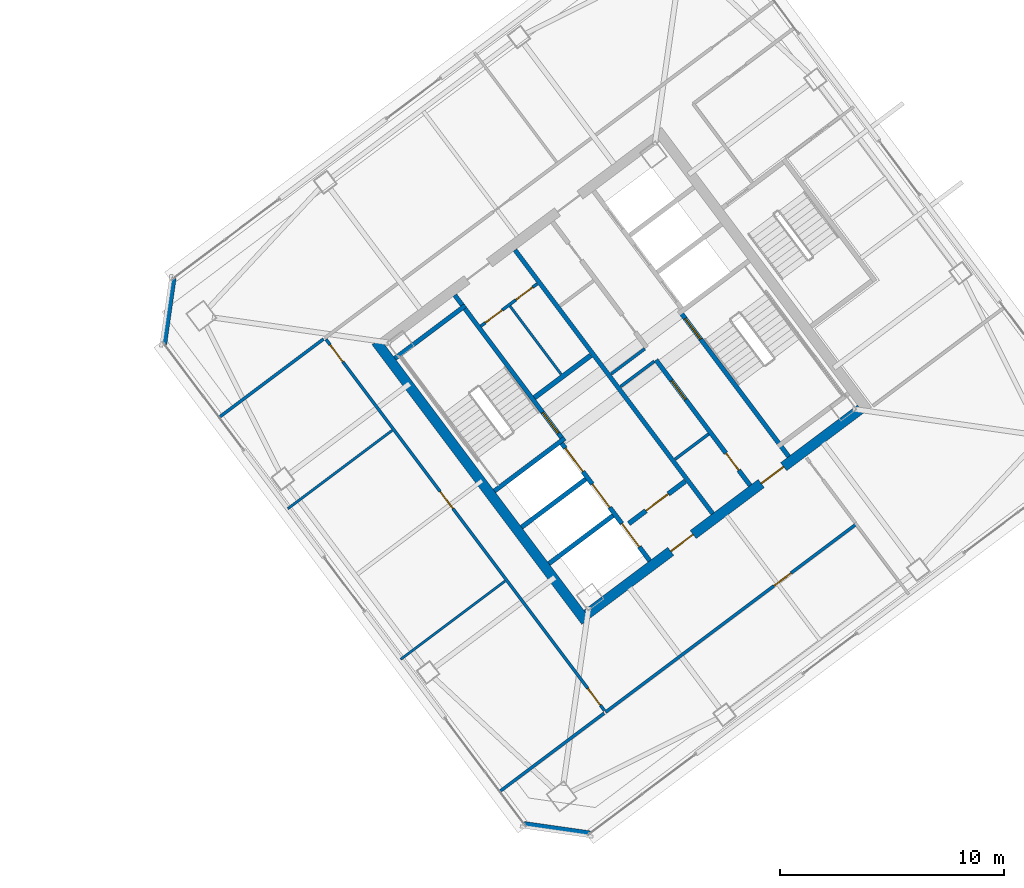
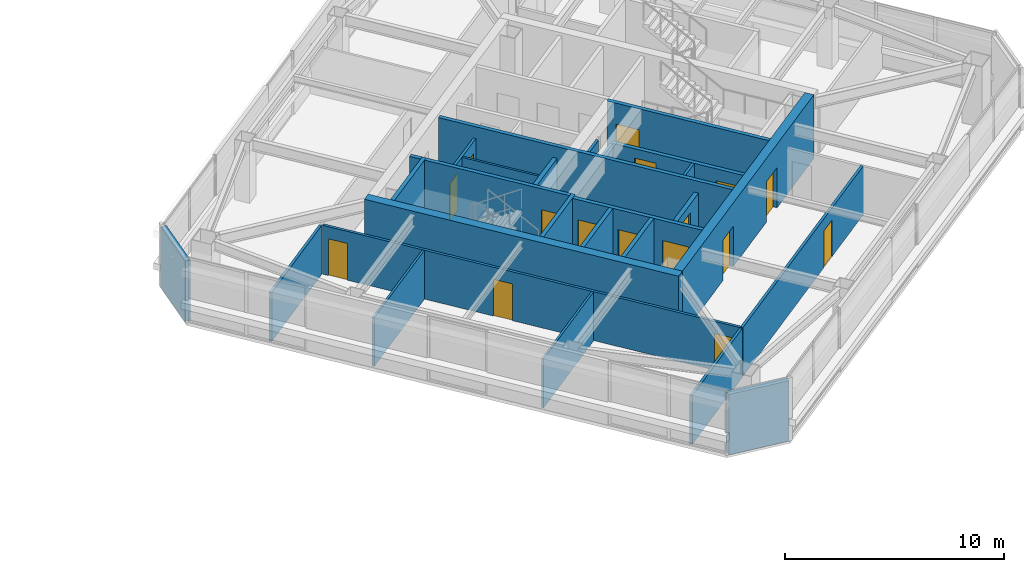
# One storey, part 36 of 44: 26 walls, 16 doors, 16 openings.
"""IFC4 building model written with IfcOpenShell, lengths in metres."""

from ifc_helpers import new_model, si_unit, direction, frame, frame_2d, origin, place, context, subcontext, project, spatial, rectangle, extrude, material, layer, layer_set, type_object, element, fill, save


model = new_model("IFC4")

# Units and contexts
model_context = context("Model", 3, precision=1e-05, world=origin(), true_north=direction((0.0, 1.0)))
body_context = subcontext(model_context, "Body", "Model", "MODEL_VIEW")
ifc_project = project(units=[si_unit("LENGTHUNIT", "METRE"), si_unit("AREAUNIT", "SQUARE_METRE"), si_unit("VOLUMEUNIT", "CUBIC_METRE"), si_unit("PLANEANGLEUNIT", "RADIAN"), si_unit("MASSUNIT", "GRAM", prefix="KILO")], contexts=[model_context])

# Site, building, storey
site_placement = place(None, origin())
site = spatial("IfcSite", under=ifc_project, at=site_placement, CompositionType="ELEMENT")
building_placement = place(site_placement, origin())
building = spatial("IfcBuilding", under=site, at=building_placement, Name="Tashvorn Skyway Center", CompositionType="ELEMENT")
storey_placement = place(building_placement, frame((0.0, 0.0, 211.300048828125)))
storey = spatial("IfcBuildingStorey", under=building, at=storey_placement, Name="L57", CompositionType="ELEMENT", Elevation=211.300048828125)

# Wall
ifc_material_1 = material(Name="Concrete C50/60", Category="concrete")
ifc_layer_1 = layer(ifc_material_1, 0.449951171875)
ifc_layer_set_1 = layer_set([ifc_layer_1], Name="Concrete C50/60")
wall_type_1 = type_object("IfcWallType", Name="WALL-CORE-450", PredefinedType="SHEAR", material=ifc_layer_set_1)
wall_1_placement = place(storey_placement, frame((112.39599609375, 21.047119140625, 0.0), z_axis=(0.0, 0.0, 1.0), x_axis=(-0.600005007985, 0.799996243986, 0.0)))
element("IfcWall", 1, at=wall_1_placement, inside=storey, type_object=wall_type_1, Name="Tower 2 L57 West Core Shear Wall", PredefinedType="SHEAR", context=body_context, shape_type="SweptSolid", body=[
    extrude(rectangle(XDim=15.60009765625, YDim=0.449951171875, at=frame_2d((7.800048828125, 0.0))), origin(), (0.0, 0.0, 1.0), 3.550048828125),
])

# Wall, openings, doors
wall_2_placement = place(storey_placement, frame((124.64892578125, 30.51806640625, 0.0), z_axis=(0.0, 0.0, 1.0), x_axis=(-0.8, -0.6, 0.0)))
wall_2 = element("IfcWall", 2, at=wall_2_placement, inside=storey, type_object=wall_type_1, Name="Tower 2 L57 South Core Shear Wall", PredefinedType="SHEAR", context=body_context, shape_type="SweptSolid", body=[
    extrude(rectangle(XDim=15.260009765625, YDim=0.449951171875, at=frame_2d((7.6298828125, 0.0))), origin(), (0.0, 0.0, 1.0), 3.550048828125),
])
opening_1_placement = place(wall_2_placement, frame((9.330078125, 0.0, 0.0)))
opening_1 = element("IfcOpeningElement", 3, at=opening_1_placement, cuts=wall_2, Name="Opening D-FFL-1250", PredefinedType="OPENING", context=body_context, shape_type="SweptSolid", body=[
    extrude(rectangle(XDim=1.25, YDim=2.25, at=frame_2d((0.625, 1.125))), frame((0.0, 0.23486328125, 0.0), z_axis=(0.0, -1.0, 0.0), x_axis=(1.0, 0.0, 0.0)), (0.0, 0.0, 1.0), 0.469970703125),
])
opening_2_placement = place(wall_2_placement, frame((4.280029296875, 0.0, 0.0)))
opening_2 = element("IfcOpeningElement", 4, at=opening_2_placement, cuts=wall_2, Name="Opening D-FFL-1250", PredefinedType="OPENING", context=body_context, shape_type="SweptSolid", body=[
    extrude(rectangle(XDim=1.25, YDim=2.25, at=frame_2d((0.625, 1.125))), frame((0.0, 0.23486328125, 0.0), z_axis=(0.0, -1.0, 0.0), x_axis=(1.0, 0.0, 0.0)), (0.0, 0.0, 1.0), 0.469970703125),
])
ifc_material_2 = material(Name="Hollow galvanized steel fire door assembly", Category="steel")
door_type_1 = type_object("IfcDoorType", Name="DOOR-FFL-1250", OperationType="NOTDEFINED", PredefinedType="DOOR", material=ifc_material_2)
door_1_placement = place(opening_1_placement, origin())
door_1 = element("IfcDoor", 5, at=door_1_placement, inside=storey, type_object=door_type_1, Name="Tower 2 L57 Core South Firefighting Exit Door", OperationType="SINGLE_SWING_LEFT", OverallHeight=2.25, OverallWidth=1.25, PredefinedType="DOOR", context=body_context, shape_type="SweptSolid", body=[
    extrude(rectangle(XDim=1.25, YDim=2.25, at=frame_2d((0.625, 1.125))), frame((0.0, 0.02490234375, 0.0), z_axis=(0.0, -1.0, 0.0), x_axis=(1.0, 0.0, 0.0)), (0.0, 0.0, 1.0), 0.050048828125),
])
fill(opening_1, door_1)
door_2_placement = place(opening_2_placement, origin())
door_2 = element("IfcDoor", 6, at=door_2_placement, inside=storey, type_object=door_type_1, Name="Tower 2 L57 Core South Lift Lobby Door", OperationType="SINGLE_SWING_RIGHT", OverallHeight=2.25, OverallWidth=1.25, PredefinedType="DOOR", context=body_context, shape_type="SweptSolid", body=[
    extrude(rectangle(XDim=1.25, YDim=2.25, at=frame_2d((0.625, 1.125))), frame((0.0, 0.02490234375, 0.0), z_axis=(0.0, -1.0, 0.0), x_axis=(1.0, 0.0, 0.0)), (0.0, 0.0, 1.0), 0.050048828125),
])
fill(opening_2, door_2)

# Walls
ifc_material_3 = material(Name="Precast concrete C40/50", Category="concrete")
ifc_layer_2 = layer(ifc_material_3, 0.280029296875)
ifc_layer_set_2 = layer_set([ifc_layer_2], Name="Precast concrete C40/50")
wall_type_2 = type_object("IfcWallType", Name="WALL-EXT-280", PredefinedType="SOLIDWALL", material=ifc_layer_set_2)
for number, where, z_axis, x_axis, name in (
    (7, (112.580078125, 11.56005859375, 0.0), (0.0, 0.0, 1.0), (-0.989954425158, 0.14138683146, 0.0), "Tower 2 L57 SW Precast Chamfer Wall"),
    (8, (93.56005859375, 33.419921875, 0.0), (0.0, 0.0, 1.0), (0.14138683146, 0.989954425158, 0.0), "Tower 2 L57 NW Precast Chamfer Wall"),
):
    element("IfcWall", number, at=place(storey_placement, frame(where, z_axis=z_axis, x_axis=x_axis)), inside=storey, type_object=wall_type_2, Name=name, PredefinedType="SOLIDWALL", context=body_context, shape_type="SweptSolid", body=[
        extrude(rectangle(XDim=2.969970703125, YDim=0.280029296875, at=frame_2d((1.48486328125, 0.0))), origin(), (0.0, 0.0, 1.0), 3.369873046875),
    ])
ifc_material_4 = material(Name="Concrete C40/50", Category="concrete")
ifc_layer_3 = layer(ifc_material_4, 0.219970703125)
ifc_layer_set_3 = layer_set([ifc_layer_3], Name="Concrete C40/50")
wall_type_3 = type_object("IfcWallType", Name="WALL-FFL-220", PredefinedType="SOLIDWALL", material=ifc_layer_set_3)
wall_3_placement = place(storey_placement, frame((110.10400390625, 31.028076171875, 0.0), z_axis=(0.0, 0.0, 1.0), x_axis=(0.800018601094, 0.59997519774, 0.0)))
element("IfcWall", 9, at=wall_3_placement, inside=storey, type_object=wall_type_3, Name="Tower 2 L57 Firefighting Lobby North Wall", PredefinedType="SOLIDWALL", context=body_context, shape_type="SweptSolid", body=[
    extrude(rectangle(XDim=3.14990234375, YDim=0.219970703125, at=frame_2d((1.574951171875, 0.0))), origin(), (0.0, 0.0, 1.0), 2.722900390625),
])

# Wall, opening, door
wall_4_placement = place(storey_placement, frame((114.31591796875, 25.412109375, 0.0), z_axis=(0.0, 0.0, 1.0), x_axis=(0.800018601094, 0.59997519774, 0.0)))
wall_4 = element("IfcWall", 10, at=wall_4_placement, inside=storey, type_object=wall_type_3, Name="Tower 2 L57 Firefighting Lobby South Wall", PredefinedType="SOLIDWALL", context=body_context, shape_type="SweptSolid", body=[
    extrude(rectangle(XDim=3.14990234375, YDim=0.219970703125, at=frame_2d((1.574951171875, 0.0))), origin(), (0.0, 0.0, 1.0), 2.722900390625),
])
opening_3_placement = place(wall_4_placement, frame((0.949951171875, 0.0, 0.0)))
opening_3 = element("IfcOpeningElement", 11, at=opening_3_placement, cuts=wall_4, Name="Opening D-FFL-1250", PredefinedType="OPENING", context=body_context, shape_type="SweptSolid", body=[
    extrude(rectangle(XDim=1.25, YDim=2.25, at=frame_2d((0.625, 1.125))), frame((0.0, 0.119873046875, 0.0), z_axis=(0.0, -1.0, 0.0), x_axis=(1.0, 0.0, 0.0)), (0.0, 0.0, 1.0), 0.239990234375),
])
door_3_placement = place(opening_3_placement, origin())
door_3 = element("IfcDoor", 12, at=door_3_placement, inside=storey, type_object=door_type_1, Name="Tower 2 L57 Firefighting Lobby Egress Door", OperationType="SINGLE_SWING_LEFT", OverallHeight=2.25, OverallWidth=1.25, PredefinedType="DOOR", context=body_context, shape_type="SweptSolid", body=[
    extrude(rectangle(XDim=1.25, YDim=2.25, at=frame_2d((0.625, 1.125))), frame((0.0, 0.02490234375, 0.0), z_axis=(0.0, -1.0, 0.0), x_axis=(1.0, 0.0, 0.0)), (0.0, 0.0, 1.0), 0.050048828125),
])
fill(opening_3, door_3)

# Walls
ifc_material_5 = material(Name="Gypsum board on cold-formed steel stud framing", Category="steel")
ifc_layer_4 = layer(ifc_material_5, 0.110107421875)
ifc_layer_set_4 = layer_set([ifc_layer_4], Name="Gypsum board on cold-formed steel stud framing")
wall_type_4 = type_object("IfcWallType", Name="WALL-PART-110", PredefinedType="PARTITIONING", material=ifc_layer_set_4)
for number, where, z_axis, x_axis, name in (
    (13, (104.135986328125, 19.35205078125, 0.0), (0.0, 0.0, 1.0), (0.800005033825, 0.599993288175, 0.0), "Tower 2 L57 West Suite Partition 1"),
    (14, (99.095947265625, 26.072021484375, 0.0), (0.0, 0.0, 1.0), (0.800005033825, 0.599993288175, 0.0), "Tower 2 L57 West Suite Partition 2"),
):
    element("IfcWall", number, at=place(storey_placement, frame(where, z_axis=z_axis, x_axis=x_axis)), inside=storey, type_object=wall_type_4, Name=name, PredefinedType="PARTITIONING", context=body_context, shape_type="SweptSolid", body=[
        extrude(rectangle(XDim=5.820068359375, YDim=0.110107421875, at=frame_2d((2.91015625, 0.0))), origin(), (0.0, 0.0, 1.0), 2.722900390625),
    ])

# Wall, opening, door
ifc_layer_5 = layer(ifc_material_5, 0.135009765625)
ifc_layer_set_5 = layer_set([ifc_layer_5], Name="Gypsum board on cold-formed steel stud framing")
wall_type_5 = type_object("IfcWallType", Name="WALL-PART-135", PredefinedType="PARTITIONING", material=ifc_layer_set_5)
wall_5_placement = place(storey_placement, frame((124.4619140625, 25.384033203125, 0.0), z_axis=(0.0, 0.0, 1.0), x_axis=(-0.799997904343, -0.6000027942, 0.0)))
wall_5 = element("IfcWall", 15, at=wall_5_placement, inside=storey, type_object=wall_type_5, Name="Tower 2 L57 South Suite Wall", PredefinedType="PARTITIONING", context=body_context, shape_type="SweptSolid", body=[
    extrude(rectangle(XDim=13.979736328125, YDim=0.135009765625, at=frame_2d((6.98974609375, 0.0))), origin(), (0.0, 0.0, 1.0), 2.722900390625),
])
opening_4_placement = place(wall_5_placement, frame((3.63525390625, 0.0, 0.0)))
opening_4 = element("IfcOpeningElement", 16, at=opening_4_placement, cuts=wall_5, Name="Opening D-INT-950", PredefinedType="OPENING", context=body_context, shape_type="SweptSolid", body=[
    extrude(rectangle(XDim=0.949951171875, YDim=2.050048828125, at=frame_2d((0.47509765625, 1.02490234375))), frame((0.0, 0.077392578125, 0.0), z_axis=(0.0, -1.0, 0.0), x_axis=(1.0, 0.0, 0.0)), (0.0, 0.0, 1.0), 0.155029296875),
])
ifc_material_6 = material(Name="Solid-core architectural oak veneer door")
door_type_2 = type_object("IfcDoorType", Name="DOOR-INT-950", OperationType="NOTDEFINED", PredefinedType="DOOR", material=ifc_material_6)
door_4_placement = place(opening_4_placement, origin())
door_4 = element("IfcDoor", 17, at=door_4_placement, inside=storey, type_object=door_type_2, Name="Tower 2 L57 Wellness Clinic Door", OperationType="SINGLE_SWING_LEFT", OverallHeight=2.050048828125, OverallWidth=0.949951171875, PredefinedType="DOOR", context=body_context, shape_type="SweptSolid", body=[
    extrude(rectangle(XDim=0.949951171875, YDim=2.050048828125, at=frame_2d((0.47509765625, 1.02490234375))), frame((0.0, 0.02490234375, 0.0), z_axis=(0.0, -1.0, 0.0), x_axis=(1.0, 0.0, 0.0)), (0.0, 0.0, 1.0), 0.050048828125),
])
fill(opening_4, door_4)

# Wall, openings, doors
wall_6_placement = place(storey_placement, frame((113.22998046875, 17.06005859375, 0.0), z_axis=(0.0, 0.0, 1.0), x_axis=(-0.600003772342, 0.79999717073, 0.0)))
wall_6 = element("IfcWall", 18, at=wall_6_placement, inside=storey, type_object=wall_type_5, Name="Tower 2 L57 West Inner Suite Wall", PredefinedType="PARTITIONING", context=body_context, shape_type="SweptSolid", body=[
    extrude(rectangle(XDim=20.7099609375, YDim=0.135009765625, at=frame_2d((10.35498046875, 0.0))), origin(), (0.0, 0.0, 1.0), 2.722900390625),
])
opening_5_placement = place(wall_6_placement, frame((0.300048828125, 0.0, 0.0)))
opening_5 = element("IfcOpeningElement", 19, at=opening_5_placement, cuts=wall_6, Name="Opening D-INT-950", PredefinedType="OPENING", context=body_context, shape_type="SweptSolid", body=[
    extrude(rectangle(XDim=0.949951171875, YDim=2.050048828125, at=frame_2d((0.47509765625, 1.02490234375))), frame((0.0, 0.077392578125, 0.0), z_axis=(0.0, -1.0, 0.0), x_axis=(1.0, 0.0, 0.0)), (0.0, 0.0, 1.0), 0.155029296875),
])
opening_6_placement = place(wall_6_placement, frame((11.272216796875, 0.0, 0.0)))
opening_6 = element("IfcOpeningElement", 20, at=opening_6_placement, cuts=wall_6, Name="Opening D-INT-950", PredefinedType="OPENING", context=body_context, shape_type="SweptSolid", body=[
    extrude(rectangle(XDim=0.949951171875, YDim=2.050048828125, at=frame_2d((0.47509765625, 1.02490234375))), frame((0.0, 0.077392578125, 0.0), z_axis=(0.0, -1.0, 0.0), x_axis=(1.0, 0.0, 0.0)), (0.0, 0.0, 1.0), 0.155029296875),
])
opening_7_placement = place(wall_6_placement, frame((19.4599609375, 0.0, 0.0)))
opening_7 = element("IfcOpeningElement", 21, at=opening_7_placement, cuts=wall_6, Name="Opening D-INT-950", PredefinedType="OPENING", context=body_context, shape_type="SweptSolid", body=[
    extrude(rectangle(XDim=0.949951171875, YDim=2.050048828125, at=frame_2d((0.47509765625, 1.02490234375))), frame((0.0, 0.077392578125, 0.0), z_axis=(0.0, -1.0, 0.0), x_axis=(1.0, 0.0, 0.0)), (0.0, 0.0, 1.0), 0.155029296875),
])
door_5_placement = place(opening_5_placement, origin())
door_5 = element("IfcDoor", 22, at=door_5_placement, inside=storey, type_object=door_type_2, Name="Tower 2 L57 Public Restroom Door", OperationType="SINGLE_SWING_LEFT", OverallHeight=2.050048828125, OverallWidth=0.949951171875, PredefinedType="DOOR", context=body_context, shape_type="SweptSolid", body=[
    extrude(rectangle(XDim=0.949951171875, YDim=2.050048828125, at=frame_2d((0.47509765625, 1.02490234375))), frame((0.0, 0.02490234375, 0.0), z_axis=(0.0, -1.0, 0.0), x_axis=(1.0, 0.0, 0.0)), (0.0, 0.0, 1.0), 0.050048828125),
])
fill(opening_5, door_5)
door_6_placement = place(opening_6_placement, origin())
door_6 = element("IfcDoor", 23, at=door_6_placement, inside=storey, type_object=door_type_2, Name="Tower 2 L57 Wellness Clinic Door", OperationType="SINGLE_SWING_RIGHT", OverallHeight=2.050048828125, OverallWidth=0.949951171875, PredefinedType="DOOR", context=body_context, shape_type="SweptSolid", body=[
    extrude(rectangle(XDim=0.949951171875, YDim=2.050048828125, at=frame_2d((0.47509765625, 1.02490234375))), frame((0.0, 0.02490234375, 0.0), z_axis=(0.0, -1.0, 0.0), x_axis=(1.0, 0.0, 0.0)), (0.0, 0.0, 1.0), 0.050048828125),
])
fill(opening_6, door_6)
door_7_placement = place(opening_7_placement, origin())
door_7 = element("IfcDoor", 24, at=door_7_placement, inside=storey, type_object=door_type_2, Name="Tower 2 L57 Collaborative Studio Door", OperationType="SINGLE_SWING_LEFT", OverallHeight=2.050048828125, OverallWidth=0.949951171875, PredefinedType="DOOR", context=body_context, shape_type="SweptSolid", body=[
    extrude(rectangle(XDim=0.949951171875, YDim=2.050048828125, at=frame_2d((0.47509765625, 1.02490234375))), frame((0.0, 0.02490234375, 0.0), z_axis=(0.0, -1.0, 0.0), x_axis=(1.0, 0.0, 0.0)), (0.0, 0.0, 1.0), 0.050048828125),
])
fill(opening_7, door_7)

# Walls
for number, where, z_axis, x_axis, name in (
    (25, (100.69189453125, 33.64404296875, 0.0), (0.0, 0.0, 1.0), (-0.800005033825, -0.599993288175, 0.0), "Tower 2 L57 West Suite North Wall"),
    (26, (108.55810546875, 13.4560546875, 0.0), (0.0, 0.0, 1.0), (0.800005033825, 0.599993288175, 0.0), "Tower 2 L57 West Suite South Wall"),
):
    element("IfcWall", number, at=place(storey_placement, frame(where, z_axis=z_axis, x_axis=x_axis)), inside=storey, type_object=wall_type_5, Name=name, PredefinedType="PARTITIONING", context=body_context, shape_type="SweptSolid", body=[
        extrude(rectangle(XDim=5.820068359375, YDim=0.135009765625, at=frame_2d((2.91015625, 0.0))), origin(), (0.0, 0.0, 1.0), 2.722900390625),
    ])
ifc_layer_6 = layer(ifc_material_5, 0.110107421875)
ifc_layer_set_6 = layer_set([ifc_layer_6], Name="Gypsum board on cold-formed steel stud framing")
wall_type_6 = type_object("IfcWallType", Name="WALL-RATED-110", PredefinedType="PARTITIONING", material=ifc_layer_set_6)
wall_7_placement = place(storey_placement, frame((111.2958984375, 32.072021484375, 0.0), z_axis=(0.0, 0.0, 1.0), x_axis=(-0.59995887973, 0.800030838552, 0.0)))
element("IfcWall", 27, at=wall_7_placement, inside=storey, type_object=wall_type_6, Name="Tower 2 L57 Core Split Partition", PredefinedType="PARTITIONING", context=body_context, shape_type="SweptSolid", body=[
    extrude(rectangle(XDim=3.7998046875, YDim=0.110107421875, at=frame_2d((1.89990234375, 0.0))), origin(), (0.0, 0.0, 1.0), 2.722900390625),
])

# Wall, openings, doors
ifc_layer_7 = layer(ifc_material_5, 0.135009765625)
ifc_layer_set_7 = layer_set([ifc_layer_7], Name="Gypsum board on cold-formed steel stud framing")
wall_type_7 = type_object("IfcWallType", Name="WALL-RATED-135", PredefinedType="PARTITIONING", material=ifc_layer_set_7)
wall_8_placement = place(storey_placement, frame((107.7099609375, 34.219970703125, 0.0), z_axis=(0.0, 0.0, 1.0), x_axis=(0.799981399002, 0.60002480053, 0.0)))
wall_8 = element("IfcWall", 28, at=wall_8_placement, inside=storey, type_object=wall_type_7, Name="Tower 2 L57 Core Service Lobby Wall", PredefinedType="PARTITIONING", context=body_context, shape_type="SweptSolid", body=[
    extrude(rectangle(XDim=3.150146484375, YDim=0.135009765625, at=frame_2d((1.5751953125, 0.0))), origin(), (0.0, 0.0, 1.0), 2.722900390625),
])
opening_8_placement = place(wall_8_placement, frame((0.25, 0.0, 0.0)))
opening_8 = element("IfcOpeningElement", 29, at=opening_8_placement, cuts=wall_8, Name="Opening D-RT-950", PredefinedType="OPENING", context=body_context, shape_type="SweptSolid", body=[
    extrude(rectangle(XDim=0.949951171875, YDim=2.050048828125, at=frame_2d((0.47509765625, 1.02490234375))), frame((0.0, 0.077392578125, 0.0), z_axis=(0.0, -1.0, 0.0), x_axis=(1.0, 0.0, 0.0)), (0.0, 0.0, 1.0), 0.155029296875),
])
opening_9_placement = place(wall_8_placement, frame((1.949951171875, 0.0, 0.0)))
opening_9 = element("IfcOpeningElement", 30, at=opening_9_placement, cuts=wall_8, Name="Opening D-RT-950", PredefinedType="OPENING", context=body_context, shape_type="SweptSolid", body=[
    extrude(rectangle(XDim=0.949951171875, YDim=2.050048828125, at=frame_2d((0.47509765625, 1.02490234375))), frame((0.0, 0.077392578125, 0.0), z_axis=(0.0, -1.0, 0.0), x_axis=(1.0, 0.0, 0.0)), (0.0, 0.0, 1.0), 0.155029296875),
])
door_type_3 = type_object("IfcDoorType", Name="DOOR-RATED-950", OperationType="NOTDEFINED", PredefinedType="DOOR", material=ifc_material_2)
door_8_placement = place(opening_8_placement, origin())
door_8 = element("IfcDoor", 31, at=door_8_placement, inside=storey, type_object=door_type_3, Name="Tower 2 L57 Core Accessible WC Door", OperationType="SINGLE_SWING_LEFT", OverallHeight=2.050048828125, OverallWidth=0.949951171875, PredefinedType="DOOR", context=body_context, shape_type="SweptSolid", body=[
    extrude(rectangle(XDim=0.949951171875, YDim=2.050048828125, at=frame_2d((0.47509765625, 1.02490234375))), frame((0.0, 0.02490234375, 0.0), z_axis=(0.0, -1.0, 0.0), x_axis=(1.0, 0.0, 0.0)), (0.0, 0.0, 1.0), 0.050048828125),
])
fill(opening_8, door_8)
door_9_placement = place(opening_9_placement, origin())
door_9 = element("IfcDoor", 32, at=door_9_placement, inside=storey, type_object=door_type_3, Name="Tower 2 L57 Core Cleaner Store Door", OperationType="SINGLE_SWING_RIGHT", OverallHeight=2.050048828125, OverallWidth=0.949951171875, PredefinedType="DOOR", context=body_context, shape_type="SweptSolid", body=[
    extrude(rectangle(XDim=0.949951171875, YDim=2.050048828125, at=frame_2d((0.47509765625, 1.02490234375))), frame((0.0, 0.02490234375, 0.0), z_axis=(0.0, -1.0, 0.0), x_axis=(1.0, 0.0, 0.0)), (0.0, 0.0, 1.0), 0.050048828125),
])
fill(opening_9, door_9)

# Walls
for number, where, z_axis, x_axis, name in (
    (33, (113.946044921875, 31.52197265625, 0.0), (0.0, 0.0, 1.0), (0.8, 0.6, 0.0), "Tower 2 L57 Core Room Partition"),
    (34, (116.3759765625, 28.281982421875, 0.0), (0.0, 0.0, 1.0), (0.8, 0.6, 0.0), "Tower 2 L57 Freed Core Partition"),
):
    element("IfcWall", number, at=place(storey_placement, frame(where, z_axis=z_axis, x_axis=x_axis)), inside=storey, type_object=wall_type_7, Name=name, PredefinedType="PARTITIONING", context=body_context, shape_type="SweptSolid", body=[
        extrude(rectangle(XDim=1.8798828125, YDim=0.135009765625, at=frame_2d((0.93994140625, 0.0))), origin(), (0.0, 0.0, 1.0), 2.722900390625),
    ])
wall_9_placement = place(storey_placement, frame((113.52587890625, 32.08203125, 0.0), z_axis=(0.0, 0.0, 1.0), x_axis=(0.800046745961, 0.599937666993, 0.0)))
element("IfcWall", 35, at=wall_9_placement, inside=storey, type_object=wall_type_7, Name="Tower 2 L57 Core Room Partition", PredefinedType="PARTITIONING", context=body_context, shape_type="SweptSolid", body=[
    extrude(rectangle(XDim=1.880126953125, YDim=0.135009765625, at=frame_2d((0.93994140625, 0.0))), origin(), (0.0, 0.0, 1.0), 2.722900390625),
])
ifc_layer_8 = layer(ifc_material_4, 0.199951171875)
ifc_layer_set_8 = layer_set([ifc_layer_8], Name="Concrete C40/50")
wall_type_8 = type_object("IfcWallType", Name="WALL-SHAFT-200", PredefinedType="SOLIDWALL", material=ifc_layer_set_8)
for number, where, z_axis, x_axis, name in (
    (36, (110.74609375, 23.6220703125, 0.0), (0.0, 0.0, 1.0), (0.800008183455, 0.599989088572, 0.0), "Tower 2 L57 FSAE Shaft Divider"),
    (37, (109.528076171875, 25.24609375, 0.0), (0.0, 0.0, 1.0), (0.800008183455, 0.599989088572, 0.0), "Tower 2 L57 FSAE Shaft Divider"),
):
    element("IfcWall", number, at=place(storey_placement, frame(where, z_axis=z_axis, x_axis=x_axis)), inside=storey, type_object=wall_type_8, Name=name, PredefinedType="SOLIDWALL", context=body_context, shape_type="SweptSolid", body=[
        extrude(rectangle(XDim=3.580078125, YDim=0.199951171875, at=frame_2d((1.7900390625, 0.0))), origin(), (0.0, 0.0, 1.0), 3.369873046875),
    ])

# Wall, openings, doors
wall_10_placement = place(storey_placement, frame((119.72998046875, 27.110107421875, 0.0), z_axis=(0.0, 0.0, 1.0), x_axis=(-0.600005580459, 0.799995814625, 0.0)))
wall_10 = element("IfcWall", 38, at=wall_10_placement, inside=storey, type_object=wall_type_8, Name="Tower 2 L57 Low-Rise Core Wall", PredefinedType="SOLIDWALL", context=body_context, shape_type="SweptSolid", body=[
    extrude(rectangle(XDim=6.999755859375, YDim=0.199951171875, at=frame_2d((3.5, 0.0))), origin(), (0.0, 0.0, 1.0), 2.722900390625),
])
opening_10_placement = place(wall_10_placement, frame((0.85009765625, 0.0, 0.0)))
opening_10 = element("IfcOpeningElement", 39, at=opening_10_placement, cuts=wall_10, Name="Opening D-RT-950", PredefinedType="OPENING", context=body_context, shape_type="SweptSolid", body=[
    extrude(rectangle(XDim=0.949951171875, YDim=2.050048828125, at=frame_2d((0.47509765625, 1.02490234375))), frame((0.0, 0.10986328125, 0.0), z_axis=(0.0, -1.0, 0.0), x_axis=(1.0, 0.0, 0.0)), (0.0, 0.0, 1.0), 0.219970703125),
])
opening_11_placement = place(wall_10_placement, frame((4.800048828125, 0.0, 0.0)))
opening_11 = element("IfcOpeningElement", 40, at=opening_11_placement, cuts=wall_10, Name="Opening D-RT-1050", PredefinedType="OPENING", context=body_context, shape_type="SweptSolid", body=[
    extrude(rectangle(XDim=1.050048828125, YDim=2.199951171875, at=frame_2d((0.52490234375, 1.10009765625))), frame((0.0, 0.10986328125, 0.0), z_axis=(0.0, -1.0, 0.0), x_axis=(1.0, 0.0, 0.0)), (0.0, 0.0, 1.0), 0.219970703125),
])
door_type_4 = type_object("IfcDoorType", Name="DOOR-RATED-1050", OperationType="NOTDEFINED", PredefinedType="DOOR", material=ifc_material_2)
door_10_placement = place(opening_11_placement, origin())
door_10 = element("IfcDoor", 41, at=door_10_placement, inside=storey, type_object=door_type_4, Name="Tower 2 L57 Freed Core Room Door", OperationType="SINGLE_SWING_RIGHT", OverallHeight=2.199951171875, OverallWidth=1.050048828125, PredefinedType="DOOR", context=body_context, shape_type="SweptSolid", body=[
    extrude(rectangle(XDim=1.050048828125, YDim=2.199951171875, at=frame_2d((0.52490234375, 1.10009765625))), frame((0.0, 0.02490234375, 0.0), z_axis=(0.0, -1.0, 0.0), x_axis=(1.0, 0.0, 0.0)), (0.0, 0.0, 1.0), 0.050048828125),
])
fill(opening_11, door_10)
door_11_placement = place(opening_10_placement, origin())
door_11 = element("IfcDoor", 42, at=door_11_placement, inside=storey, type_object=door_type_3, Name="Tower 2 L57 Core Print Room Door", OperationType="SINGLE_SWING_LEFT", OverallHeight=2.050048828125, OverallWidth=0.949951171875, PredefinedType="DOOR", context=body_context, shape_type="SweptSolid", body=[
    extrude(rectangle(XDim=0.949951171875, YDim=2.050048828125, at=frame_2d((0.47509765625, 1.02490234375))), frame((0.0, 0.02490234375, 0.0), z_axis=(0.0, -1.0, 0.0), x_axis=(1.0, 0.0, 0.0)), (0.0, 0.0, 1.0), 0.050048828125),
])
fill(opening_10, door_11)

# Wall, opening, door
ifc_layer_9 = layer(ifc_material_4, 0.199951171875)
ifc_layer_set_9 = layer_set([ifc_layer_9], Name="Concrete C40/50")
wall_type_9 = type_object("IfcWallType", Name="WALL-STSHF-200", PredefinedType="SHEAR", material=ifc_layer_set_9)
wall_11_placement = place(storey_placement, frame((111.43994140625, 29.080078125, 0.0), z_axis=(0.0, 0.0, 1.0), x_axis=(-0.59999041401, 0.800007189403, 0.0)))
wall_11 = element("IfcWall", 43, at=wall_11_placement, inside=storey, type_object=wall_type_9, Name="Tower 2 L57 Stair 1 Enclosure Wall", PredefinedType="SHEAR", context=body_context, shape_type="SweptSolid", body=[
    extrude(rectangle(XDim=8.14990234375, YDim=0.199951171875, at=frame_2d((4.074951171875, 0.0))), origin(), (0.0, 0.0, 1.0), 3.369873046875),
])
opening_12_placement = place(wall_11_placement, frame((0.449951171875, 0.0, 0.0)))
opening_12 = element("IfcOpeningElement", 44, at=opening_12_placement, cuts=wall_11, Name="Opening D-ST-1150", PredefinedType="OPENING", context=body_context, shape_type="SweptSolid", body=[
    extrude(rectangle(XDim=1.14990234375, YDim=2.199951171875, at=frame_2d((0.574951171875, 1.10009765625))), frame((0.0, 0.10986328125, 0.0), z_axis=(0.0, -1.0, 0.0), x_axis=(1.0, 0.0, 0.0)), (0.0, 0.0, 1.0), 0.219970703125),
])
door_type_5 = type_object("IfcDoorType", Name="DOOR-STAIR-1150", OperationType="NOTDEFINED", PredefinedType="DOOR", material=ifc_material_2)
door_12_placement = place(opening_12_placement, origin())
door_12 = element("IfcDoor", 45, at=door_12_placement, inside=storey, type_object=door_type_5, Name="Tower 2 L57 Exit Stair 1 Door", OperationType="SINGLE_SWING_RIGHT", OverallHeight=2.199951171875, OverallWidth=1.14990234375, PredefinedType="DOOR", context=body_context, shape_type="SweptSolid", body=[
    extrude(rectangle(XDim=1.14990234375, YDim=2.199951171875, at=frame_2d((0.574951171875, 1.10009765625))), frame((0.0, 0.02490234375, 0.0), z_axis=(0.0, -1.0, 0.0), x_axis=(1.0, 0.0, 0.0)), (0.0, 0.0, 1.0), 0.050048828125),
])
fill(opening_12, door_12)

# Walls
for number, where, z_axis, x_axis, name in (
    (46, (108.31591796875, 26.862060546875, 0.0), (0.0, 0.0, 1.0), (0.800014909178, 0.599980120581, 0.0), "Tower 2 L57 Stair 1 South Wall"),
    (47, (103.8759765625, 32.781982421875, 0.0), (0.0, 0.0, 1.0), (0.800014909178, 0.599980120581, 0.0), "Tower 2 L57 Stair 1 North Wall"),
):
    element("IfcWall", number, at=place(storey_placement, frame(where, z_axis=z_axis, x_axis=x_axis)), inside=storey, type_object=wall_type_9, Name=name, PredefinedType="SHEAR", context=body_context, shape_type="SweptSolid", body=[
        extrude(rectangle(XDim=3.929931640625, YDim=0.199951171875, at=frame_2d((1.96484375, 0.0))), origin(), (0.0, 0.0, 1.0), 3.369873046875),
    ])

# Wall, opening, door
wall_12_placement = place(storey_placement, frame((116.56005859375, 34.919921875, 0.0), z_axis=(0.0, 0.0, 1.0), x_axis=(0.59999041401, -0.800007189403, 0.0)))
wall_12 = element("IfcWall", 48, at=wall_12_placement, inside=storey, type_object=wall_type_9, Name="Tower 2 L57 Stair 2 Enclosure Wall", PredefinedType="SHEAR", context=body_context, shape_type="SweptSolid", body=[
    extrude(rectangle(XDim=8.14990234375, YDim=0.199951171875, at=frame_2d((4.074951171875, 0.0))), origin(), (0.0, 0.0, 1.0), 3.369873046875),
])
opening_13_placement = place(wall_12_placement, frame((0.449951171875, 0.0, 0.0)))
opening_13 = element("IfcOpeningElement", 49, at=opening_13_placement, cuts=wall_12, Name="Opening D-ST-1150", PredefinedType="OPENING", context=body_context, shape_type="SweptSolid", body=[
    extrude(rectangle(XDim=1.14990234375, YDim=2.199951171875, at=frame_2d((0.574951171875, 1.10009765625))), frame((0.0, 0.10986328125, 0.0), z_axis=(0.0, -1.0, 0.0), x_axis=(1.0, 0.0, 0.0)), (0.0, 0.0, 1.0), 0.219970703125),
])
door_13_placement = place(opening_13_placement, origin())
door_13 = element("IfcDoor", 50, at=door_13_placement, inside=storey, type_object=door_type_5, Name="Tower 2 L57 Exit Stair 2 Door", OperationType="SINGLE_SWING_RIGHT", OverallHeight=2.199951171875, OverallWidth=1.14990234375, PredefinedType="DOOR", context=body_context, shape_type="SweptSolid", body=[
    extrude(rectangle(XDim=1.14990234375, YDim=2.199951171875, at=frame_2d((0.574951171875, 1.10009765625))), frame((0.0, 0.02490234375, 0.0), z_axis=(0.0, -1.0, 0.0), x_axis=(1.0, 0.0, 0.0)), (0.0, 0.0, 1.0), 0.050048828125),
])
fill(opening_13, door_13)

# Wall
wall_13_placement = place(storey_placement, frame((118.05810546875, 25.85595703125, 0.0), z_axis=(0.0, 0.0, 1.0), x_axis=(-0.600002657301, 0.799998007018, 0.0)))
element("IfcWall", 51, at=wall_13_placement, inside=storey, type_object=wall_type_9, Name="Tower 2 L57 Firefighting Lobby East Smoke Barrier", PredefinedType="SHEAR", context=body_context, shape_type="SweptSolid", body=[
    extrude(rectangle(XDim=14.699951171875, YDim=0.199951171875, at=frame_2d((7.35009765625, 0.0))), origin(), (0.0, 0.0, 1.0), 3.369873046875),
])

# Wall, openings, doors
wall_14_placement = place(storey_placement, frame((115.25, 23.75, 0.0), z_axis=(0.0, 0.0, 1.0), x_axis=(-0.599994036198, 0.800004472816, 0.0)))
wall_14 = element("IfcWall", 52, at=wall_14_placement, inside=storey, type_object=wall_type_9, Name="Tower 2 L57 FSAE and Goods Shaft Front Wall", PredefinedType="SHEAR", context=body_context, shape_type="SweptSolid", body=[
    extrude(rectangle(XDim=6.550048828125, YDim=0.199951171875, at=frame_2d((3.27490234375, 0.0))), origin(), (0.0, 0.0, 1.0), 3.369873046875),
])
opening_14_placement = place(wall_14_placement, frame((4.97509765625, 0.0, 0.0)))
opening_14 = element("IfcOpeningElement", 53, at=opening_14_placement, cuts=wall_14, Name="Opening LD-FF-T2-1-L57", PredefinedType="OPENING", context=body_context, shape_type="SweptSolid", body=[
    extrude(rectangle(XDim=1.300048828125, YDim=2.25, at=frame_2d((0.64990234375, 1.125))), frame((0.0, 0.10986328125, 0.0), z_axis=(0.0, -1.0, 0.0), x_axis=(1.0, 0.0, 0.0)), (0.0, 0.0, 1.0), 0.219970703125),
])
opening_15_placement = place(wall_14_placement, frame((2.97509765625, 0.0, 0.0)))
opening_15 = element("IfcOpeningElement", 54, at=opening_15_placement, cuts=wall_14, Name="Opening LD-FF-T2-2-L57", PredefinedType="OPENING", context=body_context, shape_type="SweptSolid", body=[
    extrude(rectangle(XDim=1.300048828125, YDim=2.25, at=frame_2d((0.64990234375, 1.125))), frame((0.0, 0.10986328125, 0.0), z_axis=(0.0, -1.0, 0.0), x_axis=(1.0, 0.0, 0.0)), (0.0, 0.0, 1.0), 0.219970703125),
])
opening_16_placement = place(wall_14_placement, frame((0.77490234375, 0.0, 0.0)))
opening_16 = element("IfcOpeningElement", 55, at=opening_16_placement, cuts=wall_14, Name="Opening LD-GD-T2-1-L57", PredefinedType="OPENING", context=body_context, shape_type="SweptSolid", body=[
    extrude(rectangle(XDim=1.300048828125, YDim=2.25, at=frame_2d((0.64990234375, 1.125))), frame((0.0, 0.10986328125, 0.0), z_axis=(0.0, -1.0, 0.0), x_axis=(1.0, 0.0, 0.0)), (0.0, 0.0, 1.0), 0.219970703125),
])
ifc_material_7 = material(Name="Stainless steel heavy-duty landing door", Category="steel")
door_type_6 = type_object("IfcDoorType", Name="DOOR-LIFT-1300", OperationType="SLIDING_TO_LEFT", PredefinedType="DOOR", material=ifc_material_7)
door_14_placement = place(opening_14_placement, origin())
door_14 = element("IfcDoor", 56, at=door_14_placement, inside=storey, type_object=door_type_6, Name="Lift FF-T2-1 L57 Landing Door", OperationType="SLIDING_TO_LEFT", OverallHeight=2.25, OverallWidth=1.300048828125, PredefinedType="DOOR", context=body_context, shape_type="SweptSolid", body=[
    extrude(rectangle(XDim=1.300048828125, YDim=2.25, at=frame_2d((0.64990234375, 1.125))), frame((0.0, 0.02490234375, 0.0), z_axis=(0.0, -1.0, 0.0), x_axis=(1.0, 0.0, 0.0)), (0.0, 0.0, 1.0), 0.050048828125),
])
fill(opening_14, door_14)
door_15_placement = place(opening_15_placement, origin())
door_15 = element("IfcDoor", 57, at=door_15_placement, inside=storey, type_object=door_type_6, Name="Lift FF-T2-2 L57 Landing Door", OperationType="SLIDING_TO_LEFT", OverallHeight=2.25, OverallWidth=1.300048828125, PredefinedType="DOOR", context=body_context, shape_type="SweptSolid", body=[
    extrude(rectangle(XDim=1.300048828125, YDim=2.25, at=frame_2d((0.64990234375, 1.125))), frame((0.0, 0.02490234375, 0.0), z_axis=(0.0, -1.0, 0.0), x_axis=(1.0, 0.0, 0.0)), (0.0, 0.0, 1.0), 0.050048828125),
])
fill(opening_15, door_15)
door_16_placement = place(opening_16_placement, origin())
door_16 = element("IfcDoor", 58, at=door_16_placement, inside=storey, type_object=door_type_6, Name="Lift GD-T2-1 L57 Landing Door", OperationType="SLIDING_TO_LEFT", OverallHeight=2.25, OverallWidth=1.300048828125, PredefinedType="DOOR", context=body_context, shape_type="SweptSolid", body=[
    extrude(rectangle(XDim=1.300048828125, YDim=2.25, at=frame_2d((0.64990234375, 1.125))), frame((0.0, 0.02490234375, 0.0), z_axis=(0.0, -1.0, 0.0), x_axis=(1.0, 0.0, 0.0)), (0.0, 0.0, 1.0), 0.050048828125),
])
fill(opening_16, door_16)

save(model, "model.ifc")
